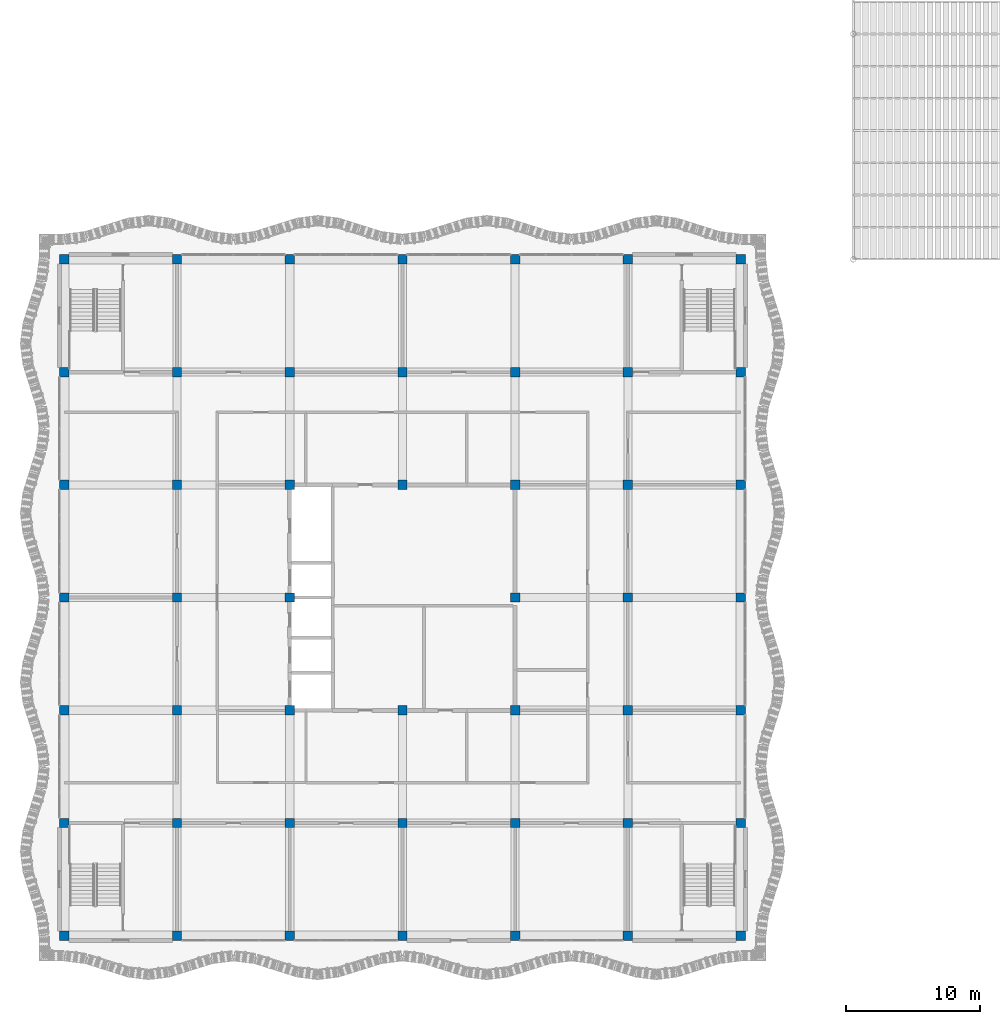
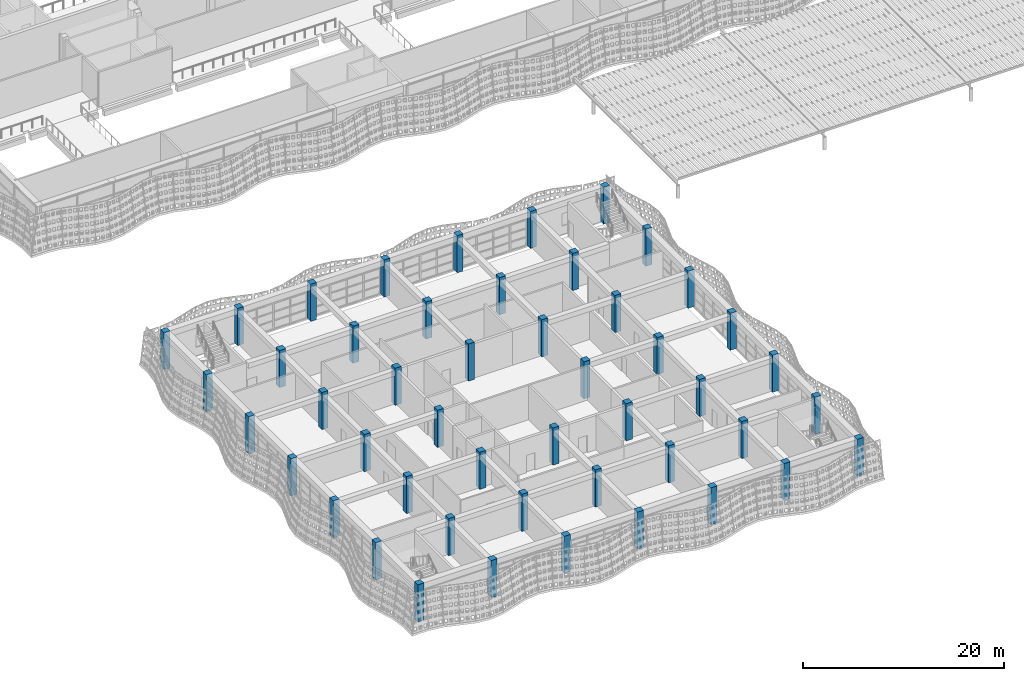
# One storey, part 1 of 162: 48 columns.
"""IFC4 building model written with IfcOpenShell, lengths in metres."""

from ifc_helpers import new_model, si_unit, direction, frame, origin, origin_2d, place, context, subcontext, project, spatial, rectangle, extrude, material, material_profile, profile_set, type_object, element, save


model = new_model("IFC4")

# Units and contexts
model_context = context("Model", 3, precision=1e-05, world=origin(), true_north=direction((0.0, 1.0)))
body_context = subcontext(model_context, "Body", "Model", "MODEL_VIEW")
ifc_project = project(units=[si_unit("LENGTHUNIT", "METRE"), si_unit("AREAUNIT", "SQUARE_METRE"), si_unit("VOLUMEUNIT", "CUBIC_METRE"), si_unit("PLANEANGLEUNIT", "RADIAN"), si_unit("MASSUNIT", "GRAM", prefix="KILO")], contexts=[model_context])

# Site, building, storey
site_placement = place(None, origin())
site = spatial("IfcSite", under=ifc_project, at=site_placement, CompositionType="ELEMENT")
building_placement = place(site_placement, origin())
building = spatial("IfcBuilding", under=site, at=building_placement, Name="Rain Tree Exposition and Congress Centre", CompositionType="ELEMENT")
storey_placement = place(building_placement, frame((0.0, 0.0, 6.0)))
storey = spatial("IfcBuildingStorey", under=building, at=storey_placement, Name="L01", CompositionType="ELEMENT", Elevation=6.0)

# Columns
ifc_material = material(Name="Precast concrete C50/60", Category="concrete")
ifc_material_profile = material_profile(ifc_material, rectangle(XDim=0.699951171875, YDim=0.699951171875, at=origin_2d()), Name="RC 700x700")
ifc_profile_set = profile_set([ifc_material_profile], Name="Precast concrete C50/60")
column_type = type_object("IfcColumnType", Name="Precast column 700x700", PredefinedType="COLUMN", material=ifc_profile_set)
for number, where, z_axis, x_axis, name in (
    (1, (0.0, 0.0, 0.0), (0.0, 0.0, 1.0), (1.0, 0.0, 0.0), "wing/column/L01/00000-00000"),
    (2, (0.0, 8.39990234375, 0.0), (0.0, 0.0, 1.0), (1.0, 0.0, 0.0), "wing/column/L01/00000-08400"),
    (3, (0.0, 16.800048828125, 0.0), (0.0, 0.0, 1.0), (1.0, 0.0, 0.0), "wing/column/L01/00000-16800"),
    (4, (0.0, 25.199951171875, 0.0), (0.0, 0.0, 1.0), (1.0, 0.0, 0.0), "wing/column/L01/00000-25200"),
    (5, (0.0, 33.60009765625, 0.0), (0.0, 0.0, 1.0), (1.0, 0.0, 0.0), "wing/column/L01/00000-33600"),
    (6, (0.0, 42.0, 0.0), (0.0, 0.0, 1.0), (1.0, 0.0, 0.0), "wing/column/L01/00000-42000"),
    (7, (0.0, 50.39990234375, 0.0), (0.0, 0.0, 1.0), (1.0, 0.0, 0.0), "wing/column/L01/00000-50400"),
    (8, (8.39990234375, 0.0, 0.0), (0.0, 0.0, 1.0), (1.0, 0.0, 0.0), "wing/column/L01/08400-00000"),
    (9, (8.39990234375, 8.39990234375, 0.0), (0.0, 0.0, 1.0), (1.0, 0.0, 0.0), "wing/column/L01/08400-08400"),
    (10, (8.39990234375, 16.800048828125, 0.0), (0.0, 0.0, 1.0), (1.0, 0.0, 0.0), "wing/column/L01/08400-16800"),
    (11, (8.39990234375, 25.199951171875, 0.0), (0.0, 0.0, 1.0), (1.0, 0.0, 0.0), "wing/column/L01/08400-25200"),
    (12, (8.39990234375, 33.60009765625, 0.0), (0.0, 0.0, 1.0), (1.0, 0.0, 0.0), "wing/column/L01/08400-33600"),
    (13, (8.39990234375, 42.0, 0.0), (0.0, 0.0, 1.0), (1.0, 0.0, 0.0), "wing/column/L01/08400-42000"),
    (14, (8.39990234375, 50.39990234375, 0.0), (0.0, 0.0, 1.0), (1.0, 0.0, 0.0), "wing/column/L01/08400-50400"),
    (15, (16.800048828125, 0.0, 0.0), (0.0, 0.0, 1.0), (1.0, 0.0, 0.0), "wing/column/L01/16800-00000"),
    (16, (16.800048828125, 8.39990234375, 0.0), (0.0, 0.0, 1.0), (1.0, 0.0, 0.0), "wing/column/L01/16800-08400"),
    (17, (16.800048828125, 16.800048828125, 0.0), (0.0, 0.0, 1.0), (1.0, 0.0, 0.0), "wing/column/L01/16800-16800"),
    (18, (16.800048828125, 25.199951171875, 0.0), (0.0, 0.0, 1.0), (1.0, 0.0, 0.0), "wing/column/L01/16800-25200"),
    (19, (16.800048828125, 33.60009765625, 0.0), (0.0, 0.0, 1.0), (1.0, 0.0, 0.0), "wing/column/L01/16800-33600"),
    (20, (16.800048828125, 42.0, 0.0), (0.0, 0.0, 1.0), (1.0, 0.0, 0.0), "wing/column/L01/16800-42000"),
    (21, (16.800048828125, 50.39990234375, 0.0), (0.0, 0.0, 1.0), (1.0, 0.0, 0.0), "wing/column/L01/16800-50400"),
    (22, (25.199951171875, 0.0, 0.0), (0.0, 0.0, 1.0), (1.0, 0.0, 0.0), "wing/column/L01/25200-00000"),
    (23, (25.199951171875, 8.39990234375, 0.0), (0.0, 0.0, 1.0), (1.0, 0.0, 0.0), "wing/column/L01/25200-08400"),
    (24, (25.199951171875, 16.800048828125, 0.0), (0.0, 0.0, 1.0), (1.0, 0.0, 0.0), "wing/column/L01/25200-16800"),
    (25, (25.199951171875, 33.60009765625, 0.0), (0.0, 0.0, 1.0), (1.0, 0.0, 0.0), "wing/column/L01/25200-33600"),
    (26, (25.199951171875, 42.0, 0.0), (0.0, 0.0, 1.0), (1.0, 0.0, 0.0), "wing/column/L01/25200-42000"),
    (27, (25.199951171875, 50.39990234375, 0.0), (0.0, 0.0, 1.0), (1.0, 0.0, 0.0), "wing/column/L01/25200-50400"),
    (28, (33.60009765625, 0.0, 0.0), (0.0, 0.0, 1.0), (1.0, 0.0, 0.0), "wing/column/L01/33600-00000"),
    (29, (33.60009765625, 8.39990234375, 0.0), (0.0, 0.0, 1.0), (1.0, 0.0, 0.0), "wing/column/L01/33600-08400"),
    (30, (33.60009765625, 16.800048828125, 0.0), (0.0, 0.0, 1.0), (1.0, 0.0, 0.0), "wing/column/L01/33600-16800"),
    (31, (33.60009765625, 25.199951171875, 0.0), (0.0, 0.0, 1.0), (1.0, 0.0, 0.0), "wing/column/L01/33600-25200"),
    (32, (33.60009765625, 33.60009765625, 0.0), (0.0, 0.0, 1.0), (1.0, 0.0, 0.0), "wing/column/L01/33600-33600"),
    (33, (33.60009765625, 42.0, 0.0), (0.0, 0.0, 1.0), (1.0, 0.0, 0.0), "wing/column/L01/33600-42000"),
    (34, (33.60009765625, 50.39990234375, 0.0), (0.0, 0.0, 1.0), (1.0, 0.0, 0.0), "wing/column/L01/33600-50400"),
    (35, (42.0, 0.0, 0.0), (0.0, 0.0, 1.0), (1.0, 0.0, 0.0), "wing/column/L01/42000-00000"),
    (36, (42.0, 8.39990234375, 0.0), (0.0, 0.0, 1.0), (1.0, 0.0, 0.0), "wing/column/L01/42000-08400"),
    (37, (42.0, 16.800048828125, 0.0), (0.0, 0.0, 1.0), (1.0, 0.0, 0.0), "wing/column/L01/42000-16800"),
    (38, (42.0, 25.199951171875, 0.0), (0.0, 0.0, 1.0), (1.0, 0.0, 0.0), "wing/column/L01/42000-25200"),
    (39, (42.0, 33.60009765625, 0.0), (0.0, 0.0, 1.0), (1.0, 0.0, 0.0), "wing/column/L01/42000-33600"),
    (40, (42.0, 42.0, 0.0), (0.0, 0.0, 1.0), (1.0, 0.0, 0.0), "wing/column/L01/42000-42000"),
    (41, (42.0, 50.39990234375, 0.0), (0.0, 0.0, 1.0), (1.0, 0.0, 0.0), "wing/column/L01/42000-50400"),
    (42, (50.39990234375, 0.0, 0.0), (0.0, 0.0, 1.0), (1.0, 0.0, 0.0), "wing/column/L01/50400-00000"),
    (43, (50.39990234375, 8.39990234375, 0.0), (0.0, 0.0, 1.0), (1.0, 0.0, 0.0), "wing/column/L01/50400-08400"),
    (44, (50.39990234375, 16.800048828125, 0.0), (0.0, 0.0, 1.0), (1.0, 0.0, 0.0), "wing/column/L01/50400-16800"),
    (45, (50.39990234375, 25.199951171875, 0.0), (0.0, 0.0, 1.0), (1.0, 0.0, 0.0), "wing/column/L01/50400-25200"),
    (46, (50.39990234375, 33.60009765625, 0.0), (0.0, 0.0, 1.0), (1.0, 0.0, 0.0), "wing/column/L01/50400-33600"),
    (47, (50.39990234375, 42.0, 0.0), (0.0, 0.0, 1.0), (1.0, 0.0, 0.0), "wing/column/L01/50400-42000"),
    (48, (50.39990234375, 50.39990234375, 0.0), (0.0, 0.0, 1.0), (1.0, 0.0, 0.0), "wing/column/L01/50400-50400"),
):
    element("IfcColumn", number, at=place(storey_placement, frame(where, z_axis=z_axis, x_axis=x_axis)), inside=storey, type_object=column_type, Name=name, PredefinedType="COLUMN", context=body_context, shape_type="SweptSolid", body=[
        extrude(rectangle(XDim=0.699951171875, YDim=0.699951171875, at=origin_2d()), origin(), (0.0, 0.0, 1.0), 4.5),
    ])

save(model, "model.ifc")
